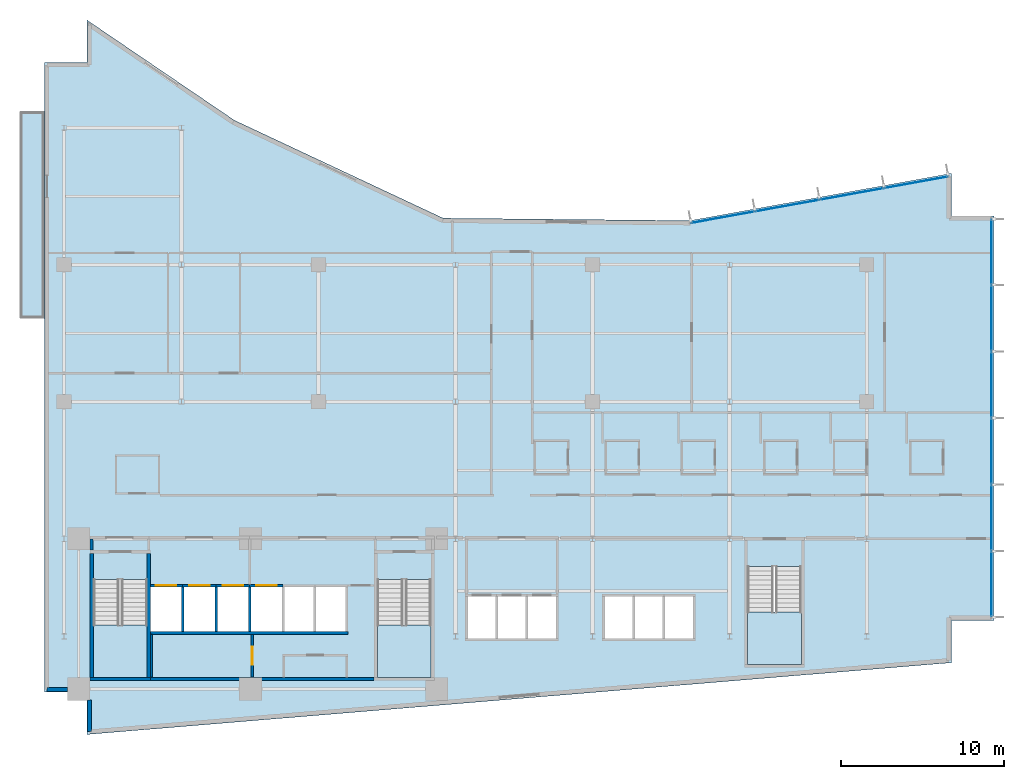
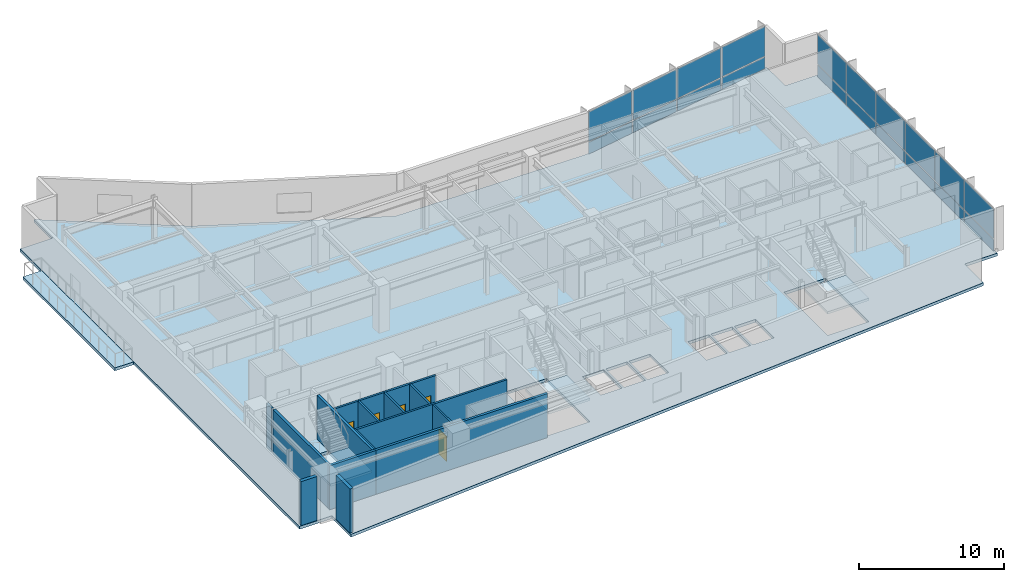
# One storey, part 11 of 20: 20 plates, 17 walls, 5 doors, 5 slabs, 5 openings, 5 elements without a shape of their own.
"""IFC4 building model written with IfcOpenShell, lengths in metres."""

from ifc_helpers import new_model, si_unit, direction, frame, frame_2d, origin, origin_2d, place, context, subcontext, project, spatial, polyline, rectangle, outline, extrude, material, layer, layer_set, type_object, element, fill, aggregate, save


model = new_model("IFC4")

# Units and contexts
model_context = context("Model", 3, precision=1e-05, world=origin(), true_north=direction((0.0, 1.0)))
body_context = subcontext(model_context, "Body", "Model", "MODEL_VIEW")
ifc_project = project(units=[si_unit("LENGTHUNIT", "METRE"), si_unit("AREAUNIT", "SQUARE_METRE"), si_unit("VOLUMEUNIT", "CUBIC_METRE"), si_unit("PLANEANGLEUNIT", "RADIAN"), si_unit("MASSUNIT", "GRAM", prefix="KILO")], contexts=[model_context])

# Site, building, storey
site_placement = place(None, origin())
site = spatial("IfcSite", under=ifc_project, at=site_placement, CompositionType="ELEMENT")
building_placement = place(site_placement, origin())
building = spatial("IfcBuilding", under=site, at=building_placement, Name="Varnakote Quay Hospital", CompositionType="ELEMENT")
storey_placement = place(building_placement, frame((0.0, 0.0, 81.75)))
storey = spatial("IfcBuildingStorey", under=building, at=storey_placement, Name="L20", CompositionType="ELEMENT", Elevation=81.75)

# Curtain wall, plates
ifc_material_1 = material(Name="Anodised aluminium 6063-T6 Bronze", Category="aluminium")
ifc_layer_1 = layer(ifc_material_1, 0.18994140625)
ifc_layer_set_1 = layer_set([ifc_layer_1], Name="Anodised aluminium 6063-T6 Bronze")
curtain_wall_type = type_object("IfcCurtainWallType", Name="CW-SYS-2", PredefinedType="NOTDEFINED", material=ifc_layer_set_1)
curtain_wall_1_placement = place(storey_placement, origin())
curtain_wall_1 = element("IfcCurtainWall", 1, at=curtain_wall_1_placement, inside=storey, type_object=curtain_wall_type, Name="L20 Unitised Bronze Curtain Wall 1", PredefinedType="NOTDEFINED")
ifc_material_2 = material(Name="Double-glazed acoustic laminated glass", Category="glass")
ifc_layer_2 = layer(ifc_material_2, 0.031982421875)
ifc_layer_set_2 = layer_set([ifc_layer_2], Name="Double-glazed acoustic laminated glass")
plate_type = type_object("IfcPlateType", Name="CW-PNL-GLZ-32", PredefinedType="CURTAIN_PANEL", material=ifc_layer_set_2)
plate_1_placement = place(storey_placement, frame((58.0400390625, 9.21875, 0.0751953125), z_axis=(0.0, 0.0, 1.0), x_axis=(0.0, 1.0, 0.0)))
plate_1 = element("IfcPlate", 2, at=plate_1_placement, type_object=plate_type, Name="-2-L20-1 panel 1.1", PredefinedType="CURTAIN_PANEL", context=body_context, shape_type="SweptSolid", body=[
    extrude(rectangle(XDim=3.967529296875, YDim=0.031982421875, at=origin_2d()), origin(), (0.0, 0.0, 1.0), 0.987548828125),
])
plate_2_placement = place(storey_placement, frame((58.0400390625, 9.21875, 1.137451171875), z_axis=(0.0, 0.0, 1.0), x_axis=(0.0, 1.0, 0.0)))
plate_2 = element("IfcPlate", 3, at=plate_2_placement, type_object=plate_type, Name="-2-L20-1 panel 1.2", PredefinedType="CURTAIN_PANEL", context=body_context, shape_type="SweptSolid", body=[
    extrude(rectangle(XDim=3.967529296875, YDim=0.031982421875, at=origin_2d()), origin(), (0.0, 0.0, 1.0), 2.49755859375),
])
plate_3_placement = place(storey_placement, frame((58.0400390625, 13.280029296875, 0.0751953125), z_axis=(0.0, 0.0, 1.0), x_axis=(0.0, 1.0, 0.0)))
plate_3 = element("IfcPlate", 4, at=plate_3_placement, type_object=plate_type, Name="-2-L20-1 panel 2.1", PredefinedType="CURTAIN_PANEL", context=body_context, shape_type="SweptSolid", body=[
    extrude(rectangle(XDim=4.0048828125, YDim=0.031982421875, at=origin_2d()), origin(), (0.0, 0.0, 1.0), 0.987548828125),
])
plate_4_placement = place(storey_placement, frame((58.0400390625, 13.280029296875, 1.137451171875), z_axis=(0.0, 0.0, 1.0), x_axis=(0.0, 1.0, 0.0)))
plate_4 = element("IfcPlate", 5, at=plate_4_placement, type_object=plate_type, Name="-2-L20-1 panel 2.2", PredefinedType="CURTAIN_PANEL", context=body_context, shape_type="SweptSolid", body=[
    extrude(rectangle(XDim=4.0048828125, YDim=0.031982421875, at=origin_2d()), origin(), (0.0, 0.0, 1.0), 2.49755859375),
])
plate_5_placement = place(storey_placement, frame((58.0400390625, 17.360107421875, 0.0751953125), z_axis=(0.0, 0.0, 1.0), x_axis=(0.0, 1.0, 0.0)))
plate_5 = element("IfcPlate", 6, at=plate_5_placement, type_object=plate_type, Name="-2-L20-1 panel 3.1", PredefinedType="CURTAIN_PANEL", context=body_context, shape_type="SweptSolid", body=[
    extrude(rectangle(XDim=4.0048828125, YDim=0.031982421875, at=origin_2d()), origin(), (0.0, 0.0, 1.0), 0.987548828125),
])
plate_6_placement = place(storey_placement, frame((58.0400390625, 17.360107421875, 1.137451171875), z_axis=(0.0, 0.0, 1.0), x_axis=(0.0, 1.0, 0.0)))
plate_6 = element("IfcPlate", 7, at=plate_6_placement, type_object=plate_type, Name="-2-L20-1 panel 3.2", PredefinedType="CURTAIN_PANEL", context=body_context, shape_type="SweptSolid", body=[
    extrude(rectangle(XDim=4.0048828125, YDim=0.031982421875, at=origin_2d()), origin(), (0.0, 0.0, 1.0), 2.49755859375),
])
plate_7_placement = place(storey_placement, frame((58.0400390625, 21.43994140625, 0.0751953125), z_axis=(0.0, 0.0, 1.0), x_axis=(0.0, 1.0, 0.0)))
plate_7 = element("IfcPlate", 8, at=plate_7_placement, type_object=plate_type, Name="-2-L20-1 panel 4.1", PredefinedType="CURTAIN_PANEL", context=body_context, shape_type="SweptSolid", body=[
    extrude(rectangle(XDim=4.0048828125, YDim=0.031982421875, at=origin_2d()), origin(), (0.0, 0.0, 1.0), 0.987548828125),
])
plate_8_placement = place(storey_placement, frame((58.0400390625, 21.43994140625, 1.137451171875), z_axis=(0.0, 0.0, 1.0), x_axis=(0.0, 1.0, 0.0)))
plate_8 = element("IfcPlate", 9, at=plate_8_placement, type_object=plate_type, Name="-2-L20-1 panel 4.2", PredefinedType="CURTAIN_PANEL", context=body_context, shape_type="SweptSolid", body=[
    extrude(rectangle(XDim=4.0048828125, YDim=0.031982421875, at=origin_2d()), origin(), (0.0, 0.0, 1.0), 2.49755859375),
])
plate_9_placement = place(storey_placement, frame((58.0400390625, 25.52001953125, 0.0751953125), z_axis=(0.0, 0.0, 1.0), x_axis=(0.0, 1.0, 0.0)))
plate_9 = element("IfcPlate", 10, at=plate_9_placement, type_object=plate_type, Name="-2-L20-1 panel 5.1", PredefinedType="CURTAIN_PANEL", context=body_context, shape_type="SweptSolid", body=[
    extrude(rectangle(XDim=4.0048828125, YDim=0.031982421875, at=origin_2d()), origin(), (0.0, 0.0, 1.0), 0.987548828125),
])
plate_10_placement = place(storey_placement, frame((58.0400390625, 25.52001953125, 1.137451171875), z_axis=(0.0, 0.0, 1.0), x_axis=(0.0, 1.0, 0.0)))
plate_10 = element("IfcPlate", 11, at=plate_10_placement, type_object=plate_type, Name="-2-L20-1 panel 5.2", PredefinedType="CURTAIN_PANEL", context=body_context, shape_type="SweptSolid", body=[
    extrude(rectangle(XDim=4.0048828125, YDim=0.031982421875, at=origin_2d()), origin(), (0.0, 0.0, 1.0), 2.49755859375),
])
plate_11_placement = place(storey_placement, frame((58.0400390625, 29.581298828125, 0.0751953125), z_axis=(0.0, 0.0, 1.0), x_axis=(0.0, 1.0, 0.0)))
plate_11 = element("IfcPlate", 12, at=plate_11_placement, type_object=plate_type, Name="-2-L20-1 panel 6.1", PredefinedType="CURTAIN_PANEL", context=body_context, shape_type="SweptSolid", body=[
    extrude(rectangle(XDim=3.967529296875, YDim=0.031982421875, at=origin_2d()), origin(), (0.0, 0.0, 1.0), 0.987548828125),
])
plate_12_placement = place(storey_placement, frame((58.0400390625, 29.581298828125, 1.137451171875), z_axis=(0.0, 0.0, 1.0), x_axis=(0.0, 1.0, 0.0)))
plate_12 = element("IfcPlate", 13, at=plate_12_placement, type_object=plate_type, Name="-2-L20-1 panel 6.2", PredefinedType="CURTAIN_PANEL", context=body_context, shape_type="SweptSolid", body=[
    extrude(rectangle(XDim=3.967529296875, YDim=0.031982421875, at=origin_2d()), origin(), (0.0, 0.0, 1.0), 2.49755859375),
])
aggregate(curtain_wall_1, [plate_1, plate_2, plate_3, plate_4, plate_5, plate_6, plate_7, plate_8, plate_9, plate_10, plate_11, plate_12])

curtain_wall_2_placement = place(storey_placement, origin())
curtain_wall_2 = element("IfcCurtainWall", 14, at=curtain_wall_2_placement, inside=storey, type_object=curtain_wall_type, Name="L20 Unitised Bronze Curtain Wall 2", PredefinedType="NOTDEFINED")
plate_13_placement = place(storey_placement, frame((53.440185546875, 33.84716796875, 0.0751953125), z_axis=(0.0, 0.0, 1.0), x_axis=(-0.984058295766, -0.177846199098, 0.0)))
plate_13 = element("IfcPlate", 15, at=plate_13_placement, type_object=plate_type, Name="-2-L20-2 panel 1.1", PredefinedType="CURTAIN_PANEL", context=body_context, shape_type="SweptSolid", body=[
    extrude(rectangle(XDim=3.914306640625, YDim=0.031982421875, at=origin_2d()), origin(), (0.0, 0.0, 1.0), 0.987548828125),
])
plate_14_placement = place(storey_placement, frame((53.440185546875, 33.84716796875, 1.137451171875), z_axis=(0.0, 0.0, 1.0), x_axis=(-0.984058295766, -0.177846199098, 0.0)))
plate_14 = element("IfcPlate", 16, at=plate_14_placement, type_object=plate_type, Name="-2-L20-2 panel 1.2", PredefinedType="CURTAIN_PANEL", context=body_context, shape_type="SweptSolid", body=[
    extrude(rectangle(XDim=3.914306640625, YDim=0.031982421875, at=origin_2d()), origin(), (0.0, 0.0, 1.0), 2.49755859375),
])
plate_15_placement = place(storey_placement, frame((49.49609375, 33.13427734375, 0.0751953125), z_axis=(0.0, 0.0, 1.0), x_axis=(-0.984058295766, -0.177846199098, 0.0)))
plate_15 = element("IfcPlate", 17, at=plate_15_placement, type_object=plate_type, Name="-2-L20-2 panel 2.1", PredefinedType="CURTAIN_PANEL", context=body_context, shape_type="SweptSolid", body=[
    extrude(rectangle(XDim=3.951904296875, YDim=0.031982421875, at=origin_2d()), origin(), (0.0, 0.0, 1.0), 0.987548828125),
])
plate_16_placement = place(storey_placement, frame((49.49609375, 33.13427734375, 1.137451171875), z_axis=(0.0, 0.0, 1.0), x_axis=(-0.984058295766, -0.177846199098, 0.0)))
plate_16 = element("IfcPlate", 18, at=plate_16_placement, type_object=plate_type, Name="-2-L20-2 panel 2.2", PredefinedType="CURTAIN_PANEL", context=body_context, shape_type="SweptSolid", body=[
    extrude(rectangle(XDim=3.951904296875, YDim=0.031982421875, at=origin_2d()), origin(), (0.0, 0.0, 1.0), 2.49755859375),
])
plate_17_placement = place(storey_placement, frame((45.533447265625, 32.418212890625, 0.0751953125), z_axis=(0.0, 0.0, 1.0), x_axis=(-0.984058295766, -0.177846199098, 0.0)))
plate_17 = element("IfcPlate", 19, at=plate_17_placement, type_object=plate_type, Name="-2-L20-2 panel 3.1", PredefinedType="CURTAIN_PANEL", context=body_context, shape_type="SweptSolid", body=[
    extrude(rectangle(XDim=3.951904296875, YDim=0.031982421875, at=origin_2d()), origin(), (0.0, 0.0, 1.0), 0.987548828125),
])
plate_18_placement = place(storey_placement, frame((45.533447265625, 32.418212890625, 1.137451171875), z_axis=(0.0, 0.0, 1.0), x_axis=(-0.984058295766, -0.177846199098, 0.0)))
plate_18 = element("IfcPlate", 20, at=plate_18_placement, type_object=plate_type, Name="-2-L20-2 panel 3.2", PredefinedType="CURTAIN_PANEL", context=body_context, shape_type="SweptSolid", body=[
    extrude(rectangle(XDim=3.951904296875, YDim=0.031982421875, at=origin_2d()), origin(), (0.0, 0.0, 1.0), 2.49755859375),
])
plate_19_placement = place(storey_placement, frame((41.58935546875, 31.705322265625, 0.0751953125), z_axis=(0.0, 0.0, 1.0), x_axis=(-0.984058295766, -0.177846199098, 0.0)))
plate_19 = element("IfcPlate", 21, at=plate_19_placement, type_object=plate_type, Name="-2-L20-2 panel 4.1", PredefinedType="CURTAIN_PANEL", context=body_context, shape_type="SweptSolid", body=[
    extrude(rectangle(XDim=3.914306640625, YDim=0.031982421875, at=origin_2d()), origin(), (0.0, 0.0, 1.0), 0.987548828125),
])
plate_20_placement = place(storey_placement, frame((41.58935546875, 31.705322265625, 1.137451171875), z_axis=(0.0, 0.0, 1.0), x_axis=(-0.984058295766, -0.177846199098, 0.0)))
plate_20 = element("IfcPlate", 22, at=plate_20_placement, type_object=plate_type, Name="-2-L20-2 panel 4.2", PredefinedType="CURTAIN_PANEL", context=body_context, shape_type="SweptSolid", body=[
    extrude(rectangle(XDim=3.914306640625, YDim=0.031982421875, at=origin_2d()), origin(), (0.0, 0.0, 1.0), 2.49755859375),
])
aggregate(curtain_wall_2, [plate_13, plate_14, plate_15, plate_16, plate_17, plate_18, plate_19, plate_20])

# Stair, slab
ifc_material_3 = material(Name="Concrete N40 (f'c 40 MPa)", Category="concrete")
stair_type = type_object("IfcStairType", Name="STR-CORE-1580", PredefinedType="HALF_TURN_STAIR", material=ifc_material_3)
stair_1_placement = place(storey_placement, origin())
stair_1 = element("IfcStair", 23, at=stair_1_placement, inside=storey, type_object=stair_type, Name="L20 Fire-Isolated Exit Stair ST-01", PredefinedType="HALF_TURN_STAIR")
ifc_material_4 = material(Name="Concrete N40 (f'c 40 MPa)", Category="concrete")
ifc_layer_3 = layer(ifc_material_4, 0.199951171875)
ifc_layer_set_3 = layer_set([ifc_layer_3], Name="Concrete N40 (f'c 40 MPa)")
slab_type_1 = type_object("IfcSlabType", Name="SLB-STAIR-LND-200", PredefinedType="LANDING", material=ifc_layer_set_3)
slab_1_placement = place(storey_placement, frame((0.0, 0.0, 1.77490234375)))
slab_1 = element("IfcSlab", 24, at=slab_1_placement, type_object=slab_type_1, Name="ST-01 landing 1", PredefinedType="LANDING", context=body_context, shape_type="SweptSolid", body=[
    extrude(outline(polyline([(3.0, 6.699951171875), (3.0, 3.5), (6.300048828125, 3.5), (6.300048828125, 6.699951171875), (3.0, 6.699951171875)])), origin(), (0.0, 0.0, 1.0), 0.2001953125),
])
aggregate(stair_1, [slab_1])

stair_2_placement = place(storey_placement, origin())
stair_2 = element("IfcStair", 25, at=stair_2_placement, inside=storey, type_object=stair_type, Name="L20 Fire-Isolated Exit Stair ST-02", PredefinedType="HALF_TURN_STAIR")
slab_2_placement = place(storey_placement, frame((0.0, 0.0, 1.77490234375)))
slab_2 = element("IfcSlab", 26, at=slab_2_placement, type_object=slab_type_1, Name="ST-02 landing 1", PredefinedType="LANDING", context=body_context, shape_type="SweptSolid", body=[
    extrude(outline(polyline([(20.39990234375, 6.699951171875), (20.39990234375, 3.5), (23.699951171875, 3.5), (23.699951171875, 6.699951171875), (20.39990234375, 6.699951171875)])), origin(), (0.0, 0.0, 1.0), 0.2001953125),
])
aggregate(stair_2, [slab_2])

stair_3_placement = place(storey_placement, origin())
stair_3 = element("IfcStair", 27, at=stair_3_placement, inside=storey, type_object=stair_type, Name="L20 Fire-Isolated Exit Stair ST-03", PredefinedType="HALF_TURN_STAIR")
slab_3_placement = place(storey_placement, frame((0.0, 0.0, 1.77490234375)))
slab_3 = element("IfcSlab", 28, at=slab_3_placement, type_object=slab_type_1, Name="ST-03 landing 1", PredefinedType="LANDING", context=body_context, shape_type="SweptSolid", body=[
    extrude(outline(polyline([(43.10009765625, 7.5), (43.10009765625, 4.300048828125), (46.39990234375, 4.300048828125), (46.39990234375, 7.5), (43.10009765625, 7.5)])), origin(), (0.0, 0.0, 1.0), 0.2001953125),
])
aggregate(stair_3, [slab_3])

# Slabs
ifc_material_5 = material(Name="Concrete N50 (f'c 50 MPa)", Category="concrete")
ifc_layer_4 = layer(ifc_material_5, 0.239990234375)
ifc_layer_set_4 = layer_set([ifc_layer_4], Name="Concrete N50 (f'c 50 MPa)")
slab_type_2 = type_object("IfcSlabType", Name="SLB-TERR-200", PredefinedType="FLOOR", material=ifc_layer_set_4)
slab_4_placement = place(storey_placement, frame((0.0, 0.0, -0.239990234375)))
element("IfcSlab", 29, at=slab_4_placement, inside=storey, type_object=slab_type_2, Name="L20 Waterfront Healing Terrace Slab", PredefinedType="FLOOR", context=body_context, shape_type="SweptSolid", body=[
    extrude(outline(polyline([(0.00390625, 25.5), (0.00390625, 38.199951171875), (-1.5, 38.199951171875), (-1.5, 25.5), (0.00390625, 25.5)])), origin(), (0.0, 0.0, 1.0), 0.239990234375),
])
ifc_material_6 = material(Name="Concrete N50 (f'c 50 MPa)", Category="concrete")
ifc_layer_5 = layer(ifc_material_6, 0.239990234375)
ifc_layer_set_5 = layer_set([ifc_layer_5], Name="Concrete N50 (f'c 50 MPa)")
slab_type_3 = type_object("IfcSlabType", Name="SLB-WARD-200", PredefinedType="FLOOR", material=ifc_layer_set_5)
slab_5_placement = place(storey_placement, frame((0.0, 0.0, -0.239990234375)))
element("IfcSlab", 30, at=slab_5_placement, inside=storey, type_object=slab_type_3, Name="L20 Primary Floor Slab", PredefinedType="FLOOR", context=body_context, shape_type="SweptSolid", body=[
    extrude(outline(polyline([(0.0, 2.60009765625), (2.60009765625, 2.60009765625), (2.60009765625, 0.0), (55.60009765625, 4.39990234375), (55.60009765625, 7.0), (58.199951171875, 7.0), (58.199951171875, 31.800048828125), (55.60009765625, 31.800048828125), (55.60009765625, 34.39990234375), (39.575927734375, 31.50390625), (24.444091796875, 31.652099609375), (11.639892578125, 37.656005859375), (2.60009765625, 43.800048828125), (2.60009765625, 41.199951171875), (0.0, 41.199951171875), (0.0, 2.60009765625)]), holes=[polyline([(3.0, 3.5), (6.300048828125, 3.5), (6.300048828125, 9.49951171875), (3.0, 9.49951171875), (3.0, 3.5)]), polyline([(20.39990234375, 3.5), (23.699951171875, 3.5), (23.699951171875, 9.49951171875), (20.39990234375, 9.49951171875), (20.39990234375, 3.5)]), polyline([(43.10009765625, 4.300048828125), (46.39990234375, 4.300048828125), (46.39990234375, 10.29931640625), (43.10009765625, 10.29931640625), (43.10009765625, 4.300048828125)]), polyline([(6.5, 6.300048828125), (8.39990234375, 6.300048828125), (8.39990234375, 9.050048828125), (6.5, 9.050048828125), (6.5, 6.300048828125)]), polyline([(8.550048828125, 6.300048828125), (10.449951171875, 6.300048828125), (10.449951171875, 9.050048828125), (8.550048828125, 9.050048828125), (8.550048828125, 6.300048828125)]), polyline([(10.60009765625, 6.300048828125), (12.5, 6.300048828125), (12.5, 9.050048828125), (10.60009765625, 9.050048828125), (10.60009765625, 6.300048828125)]), polyline([(12.64990234375, 6.300048828125), (14.550048828125, 6.300048828125), (14.550048828125, 9.050048828125), (12.64990234375, 9.050048828125), (12.64990234375, 6.300048828125)]), polyline([(14.699951171875, 6.300048828125), (16.5, 6.300048828125), (16.5, 9.050048828125), (14.699951171875, 9.050048828125), (14.699951171875, 6.300048828125)]), polyline([(16.64990234375, 6.300048828125), (18.449951171875, 6.300048828125), (18.449951171875, 9.050048828125), (16.64990234375, 9.050048828125), (16.64990234375, 6.300048828125)]), polyline([(25.949951171875, 5.89990234375), (27.64990234375, 5.89990234375), (27.64990234375, 8.449951171875), (25.949951171875, 8.449951171875), (25.949951171875, 5.89990234375)]), polyline([(27.800048828125, 5.89990234375), (29.5, 5.89990234375), (29.5, 8.449951171875), (27.800048828125, 8.449951171875), (27.800048828125, 5.89990234375)]), polyline([(29.64990234375, 5.89990234375), (31.35009765625, 5.89990234375), (31.35009765625, 8.449951171875), (29.64990234375, 8.449951171875), (29.64990234375, 5.89990234375)]), polyline([(34.35009765625, 5.89990234375), (36.050048828125, 5.89990234375), (36.050048828125, 8.449951171875), (34.35009765625, 8.449951171875), (34.35009765625, 5.89990234375)]), polyline([(36.199951171875, 5.89990234375), (37.89990234375, 5.89990234375), (37.89990234375, 8.449951171875), (36.199951171875, 8.449951171875), (36.199951171875, 5.89990234375)]), polyline([(38.050048828125, 5.89990234375), (39.75, 5.89990234375), (39.75, 8.449951171875), (38.050048828125, 8.449951171875), (38.050048828125, 5.89990234375)])]), origin(), (0.0, 0.0, 1.0), 0.239990234375),
])

# Walls
ifc_material_7 = material(Name="Fire-rated acoustic gypsum stud wall", Category="gypsum")
ifc_layer_6 = layer(ifc_material_7, 0.159912109375)
ifc_layer_set_6 = layer_set([ifc_layer_6], Name="Fire-rated acoustic gypsum stud wall")
wall_type_1 = type_object("IfcWallType", Name="WL-COMP-160", PredefinedType="PARTITIONING", material=ifc_layer_set_6)
wall_1_placement = place(storey_placement, frame((2.8798828125, 11.300048828125, 0.0), z_axis=(0.0, 0.0, 1.0), x_axis=(0.0, 1.0, 0.0)))
element("IfcWall", 31, at=wall_1_placement, inside=storey, type_object=wall_type_1, Name="L20 West Stair Vestibule West Wall", PredefinedType="PARTITIONING", context=body_context, shape_type="SweptSolid", body=[
    extrude(rectangle(XDim=0.699951171875, YDim=0.159912109375, at=frame_2d((0.35009765625, 0.0))), origin(), (0.0, 0.0, 1.0), 3.7099609375),
])
ifc_material_8 = material(Name="Concrete N80 (f'c 80 MPa)", Category="concrete")
ifc_layer_7 = layer(ifc_material_8, 0.199951171875)
ifc_layer_set_7 = layer_set([ifc_layer_7], Name="Concrete N80 (f'c 80 MPa)")
wall_type_2 = type_object("IfcWallType", Name="WL-CORE-N80-200", PredefinedType="SHEAR", material=ifc_layer_set_7)
wall_2_placement = place(storey_placement, frame((6.5, 3.39990234375, 0.0), z_axis=(0.0, 0.0, 1.0), x_axis=(1.0, 0.0, 0.0)))
element("IfcWall", 32, at=wall_2_placement, inside=storey, type_object=wall_type_2, Name="L20 Rear Core South Shear Wall", PredefinedType="SHEAR", context=body_context, shape_type="SweptSolid", body=[
    extrude(rectangle(XDim=13.699951171875, YDim=0.199951171875, at=frame_2d((6.85009765625, 0.0))), origin(), (0.0, 0.0, 1.0), 3.7099609375),
])
ifc_material_9 = material(Name="Precast concrete N50 (f'c 50 MPa)", Category="concrete")
ifc_layer_8 = layer(ifc_material_9, 0.260009765625)
ifc_layer_set_8 = layer_set([ifc_layer_8], Name="Precast concrete N50 (f'c 50 MPa)")
wall_type_3 = type_object("IfcWallType", Name="WL-EXT-BRICK-260", PredefinedType="STANDARD", material=ifc_layer_set_8)
wall_3_placement = place(storey_placement, frame((2.760009765625, 2.114990234375, 0.0), z_axis=(0.0, 0.0, 1.0), x_axis=(0.0, -1.0, 0.0)))
element("IfcWall", 33, at=wall_3_placement, inside=storey, type_object=wall_type_3, Name="L20 Brick-Faced Precast Exterior Wall", PredefinedType="STANDARD", context=body_context, shape_type="SweptSolid", body=[
    extrude(rectangle(XDim=1.941162109375, YDim=0.260009765625, at=frame_2d((0.970703125, 0.0))), origin(), (0.0, 0.0, 1.0), 3.7099609375),
])
wall_4_placement = place(storey_placement, frame((0.159912109375, 2.760009765625, 0.0), z_axis=(0.0, 0.0, 1.0), x_axis=(1.0, 0.0, 0.0)))
element("IfcWall", 34, at=wall_4_placement, inside=storey, type_object=wall_type_3, Name="L20 Brick-Faced Precast Exterior Wall", PredefinedType="STANDARD", context=body_context, shape_type="SweptSolid", body=[
    extrude(rectangle(XDim=1.255126953125, YDim=0.260009765625, at=frame_2d((0.62744140625, 0.0))), origin(), (0.0, 0.0, 1.0), 3.7099609375),
])
ifc_material_10 = material(Name="Concrete N50 (f'c 50 MPa)", Category="concrete")
ifc_layer_9 = layer(ifc_material_10, 0.14990234375)
ifc_layer_set_9 = layer_set([ifc_layer_9], Name="Concrete N50 (f'c 50 MPa)")
wall_type_4 = type_object("IfcWallType", Name="WL-SHAFT-N50-150", PredefinedType="SHEAR", material=ifc_layer_set_9)
for number, where, z_axis, x_axis, name in (
    (35, (8.47509765625, 6.300048828125, 0.0), (0.0, 0.0, 1.0), (0.0, 1.0, 0.0), "L20 LF-FF1 Hoistway Divider Wall"),
    (36, (10.52490234375, 6.300048828125, 0.0), (0.0, 0.0, 1.0), (0.0, 1.0, 0.0), "L20 LF-FF2 Hoistway Divider Wall"),
    (37, (12.574951171875, 6.300048828125, 0.0), (0.0, 0.0, 1.0), (0.0, 1.0, 0.0), "L20 LF-SV1 Hoistway Divider Wall"),
):
    element("IfcWall", number, at=place(storey_placement, frame(where, z_axis=z_axis, x_axis=x_axis)), inside=storey, type_object=wall_type_4, Name=name, PredefinedType="SHEAR", context=body_context, shape_type="SweptSolid", body=[
        extrude(rectangle(XDim=2.75, YDim=0.14990234375, at=frame_2d((1.375, 0.0))), origin(), (0.0, 0.0, 1.0), 3.7099609375),
    ])
ifc_material_11 = material(Name="Concrete N50 (f'c 50 MPa)", Category="concrete")
ifc_layer_10 = layer(ifc_material_11, 0.159912109375)
ifc_layer_set_10 = layer_set([ifc_layer_10], Name="Concrete N50 (f'c 50 MPa)")
wall_type_5 = type_object("IfcWallType", Name="WL-SHAFT-N50-160", PredefinedType="SHEAR", material=ifc_layer_set_10)
wall_5_placement = place(storey_placement, frame((6.5, 6.219970703125, 0.0), z_axis=(0.0, 0.0, 1.0), x_axis=(1.0, 0.0, 0.0)))
element("IfcWall", 38, at=wall_5_placement, inside=storey, type_object=wall_type_5, Name="L20 REAR Lift Bank Back Shear Wall", PredefinedType="SHEAR", context=body_context, shape_type="SweptSolid", body=[
    extrude(rectangle(XDim=12.110107421875, YDim=0.159912109375, at=frame_2d((6.05517578125, 0.0))), origin(), (0.0, 0.0, 1.0), 3.7099609375),
])

# Wall, opening, door
wall_6_placement = place(storey_placement, frame((6.5, 9.1298828125, 0.0), z_axis=(0.0, 0.0, 1.0), x_axis=(1.0, 0.0, 0.0)))
wall_6 = element("IfcWall", 39, at=wall_6_placement, inside=storey, type_object=wall_type_5, Name="L20 LF-FF1 Hoistway Front Wall", PredefinedType="SHEAR", context=body_context, shape_type="SweptSolid", body=[
    extrude(rectangle(XDim=1.97509765625, YDim=0.159912109375, at=frame_2d((0.987548828125, 0.0))), origin(), (0.0, 0.0, 1.0), 3.7099609375),
])
opening_1_placement = place(wall_6_placement, frame((0.324951171875, 0.0, 0.0)))
opening_1 = element("IfcOpeningElement", 40, at=opening_1_placement, cuts=wall_6, Name="Opening LD-FF1-L20", PredefinedType="OPENING", context=body_context, shape_type="SweptSolid", body=[
    extrude(rectangle(XDim=1.25, YDim=2.14990234375, at=frame_2d((0.625, 1.074951171875))), frame((0.0, 0.08984375, 0.0), z_axis=(0.0, -1.0, 0.0), x_axis=(1.0, 0.0, 0.0)), (0.0, 0.0, 1.0), 0.179931640625),
])
ifc_material_12 = material(Name="Stainless steel lift landing sliding door", Category="steel")
door_type_1 = type_object("IfcDoorType", Name="DR-LIFT-LD-1250x2150", OperationType="NOTDEFINED", PredefinedType="DOOR", material=ifc_material_12)
door_1_placement = place(opening_1_placement, origin())
door_1 = element("IfcDoor", 41, at=door_1_placement, inside=storey, type_object=door_type_1, Name="L20 LF-FF1 Lift Landing Sliding Door", OperationType="SLIDING_TO_LEFT", OverallHeight=2.14990234375, OverallWidth=1.25, PredefinedType="DOOR", context=body_context, shape_type="SweptSolid", body=[
    extrude(rectangle(XDim=1.25, YDim=2.14990234375, at=frame_2d((0.625, 1.074951171875))), frame((0.0, 0.02490234375, 0.0), z_axis=(0.0, -1.0, 0.0), x_axis=(1.0, 0.0, 0.0)), (0.0, 0.0, 1.0), 0.050048828125),
])
fill(opening_1, door_1)

wall_7_placement = place(storey_placement, frame((8.47509765625, 9.1298828125, 0.0), z_axis=(0.0, 0.0, 1.0), x_axis=(1.0, 0.0, 0.0)))
wall_7 = element("IfcWall", 42, at=wall_7_placement, inside=storey, type_object=wall_type_5, Name="L20 LF-FF2 Hoistway Front Wall", PredefinedType="SHEAR", context=body_context, shape_type="SweptSolid", body=[
    extrude(rectangle(XDim=2.0498046875, YDim=0.159912109375, at=frame_2d((1.02490234375, 0.0))), origin(), (0.0, 0.0, 1.0), 3.7099609375),
])
opening_2_placement = place(wall_7_placement, frame((0.39990234375, 0.0, 0.0)))
opening_2 = element("IfcOpeningElement", 43, at=opening_2_placement, cuts=wall_7, Name="Opening LD-FF2-L20", PredefinedType="OPENING", context=body_context, shape_type="SweptSolid", body=[
    extrude(rectangle(XDim=1.25, YDim=2.14990234375, at=frame_2d((0.625, 1.074951171875))), frame((0.0, 0.08984375, 0.0), z_axis=(0.0, -1.0, 0.0), x_axis=(1.0, 0.0, 0.0)), (0.0, 0.0, 1.0), 0.179931640625),
])
door_2_placement = place(opening_2_placement, origin())
door_2 = element("IfcDoor", 44, at=door_2_placement, inside=storey, type_object=door_type_1, Name="L20 LF-FF2 Lift Landing Sliding Door", OperationType="SLIDING_TO_LEFT", OverallHeight=2.14990234375, OverallWidth=1.25, PredefinedType="DOOR", context=body_context, shape_type="SweptSolid", body=[
    extrude(rectangle(XDim=1.25, YDim=2.14990234375, at=frame_2d((0.625, 1.074951171875))), frame((0.0, 0.02490234375, 0.0), z_axis=(0.0, -1.0, 0.0), x_axis=(1.0, 0.0, 0.0)), (0.0, 0.0, 1.0), 0.050048828125),
])
fill(opening_2, door_2)

wall_8_placement = place(storey_placement, frame((10.52490234375, 9.1298828125, 0.0), z_axis=(0.0, 0.0, 1.0), x_axis=(1.0, 0.0, 0.0)))
wall_8 = element("IfcWall", 45, at=wall_8_placement, inside=storey, type_object=wall_type_5, Name="L20 LF-SV1 Hoistway Front Wall", PredefinedType="SHEAR", context=body_context, shape_type="SweptSolid", body=[
    extrude(rectangle(XDim=2.050048828125, YDim=0.159912109375, at=frame_2d((1.02490234375, 0.0))), origin(), (0.0, 0.0, 1.0), 3.7099609375),
])
opening_3_placement = place(wall_8_placement, frame((0.39990234375, 0.0, 0.0)))
opening_3 = element("IfcOpeningElement", 46, at=opening_3_placement, cuts=wall_8, Name="Opening LD-SV1-L20", PredefinedType="OPENING", context=body_context, shape_type="SweptSolid", body=[
    extrude(rectangle(XDim=1.25, YDim=2.14990234375, at=frame_2d((0.625, 1.074951171875))), frame((0.0, 0.08984375, 0.0), z_axis=(0.0, -1.0, 0.0), x_axis=(1.0, 0.0, 0.0)), (0.0, 0.0, 1.0), 0.179931640625),
])
door_3_placement = place(opening_3_placement, origin())
door_3 = element("IfcDoor", 47, at=door_3_placement, inside=storey, type_object=door_type_1, Name="L20 LF-SV1 Lift Landing Sliding Door", OperationType="SLIDING_TO_LEFT", OverallHeight=2.14990234375, OverallWidth=1.25, PredefinedType="DOOR", context=body_context, shape_type="SweptSolid", body=[
    extrude(rectangle(XDim=1.25, YDim=2.14990234375, at=frame_2d((0.625, 1.074951171875))), frame((0.0, 0.02490234375, 0.0), z_axis=(0.0, -1.0, 0.0), x_axis=(1.0, 0.0, 0.0)), (0.0, 0.0, 1.0), 0.050048828125),
])
fill(opening_3, door_3)

wall_9_placement = place(storey_placement, frame((12.574951171875, 9.1298828125, 0.0), z_axis=(0.0, 0.0, 1.0), x_axis=(1.0, 0.0, 0.0)))
wall_9 = element("IfcWall", 48, at=wall_9_placement, inside=storey, type_object=wall_type_5, Name="L20 LF-SV2 Hoistway Front Wall", PredefinedType="SHEAR", context=body_context, shape_type="SweptSolid", body=[
    extrude(rectangle(XDim=2.050048828125, YDim=0.159912109375, at=frame_2d((1.02490234375, 0.0))), origin(), (0.0, 0.0, 1.0), 3.7099609375),
])
opening_4_placement = place(wall_9_placement, frame((0.39990234375, 0.0, 0.0)))
opening_4 = element("IfcOpeningElement", 49, at=opening_4_placement, cuts=wall_9, Name="Opening LD-SV2-L20", PredefinedType="OPENING", context=body_context, shape_type="SweptSolid", body=[
    extrude(rectangle(XDim=1.25, YDim=2.14990234375, at=frame_2d((0.625, 1.074951171875))), frame((0.0, 0.08984375, 0.0), z_axis=(0.0, -1.0, 0.0), x_axis=(1.0, 0.0, 0.0)), (0.0, 0.0, 1.0), 0.179931640625),
])
door_4_placement = place(opening_4_placement, origin())
door_4 = element("IfcDoor", 50, at=door_4_placement, inside=storey, type_object=door_type_1, Name="L20 LF-SV2 Lift Landing Sliding Door", OperationType="SLIDING_TO_LEFT", OverallHeight=2.14990234375, OverallWidth=1.25, PredefinedType="DOOR", context=body_context, shape_type="SweptSolid", body=[
    extrude(rectangle(XDim=1.25, YDim=2.14990234375, at=frame_2d((0.625, 1.074951171875))), frame((0.0, 0.02490234375, 0.0), z_axis=(0.0, -1.0, 0.0), x_axis=(1.0, 0.0, 0.0)), (0.0, 0.0, 1.0), 0.050048828125),
])
fill(opening_4, door_4)

# Walls
ifc_material_13 = material(Name="Concrete N50 (f'c 50 MPa)", Category="concrete")
ifc_layer_11 = layer(ifc_material_13, 0.199951171875)
ifc_layer_set_11 = layer_set([ifc_layer_11], Name="Concrete N50 (f'c 50 MPa)")
wall_type_6 = type_object("IfcWallType", Name="WL-SHAFT-N50-200", PredefinedType="SHEAR", material=ifc_layer_set_11)
wall_10_placement = place(storey_placement, frame((2.800048828125, 3.39990234375, 0.0), z_axis=(0.0, 0.0, 1.0), x_axis=(1.0, 0.0, 0.0)))
element("IfcWall", 51, at=wall_10_placement, inside=storey, type_object=wall_type_6, Name="L20 Stair ST1 South Shaft Wall", PredefinedType="SHEAR", context=body_context, shape_type="SweptSolid", body=[
    extrude(rectangle(XDim=3.699951171875, YDim=0.199951171875, at=frame_2d((1.85009765625, 0.0))), origin(), (0.0, 0.0, 1.0), 3.7099609375),
])
for number, where, z_axis, x_axis, name in (
    (52, (2.89990234375, 3.5, 0.0), (0.0, 0.0, 1.0), (0.0, 1.0, 0.0), "L20 Stair ST1 West Shaft Wall"),
    (53, (6.39990234375, 3.5, 0.0), (0.0, 0.0, 1.0), (0.0, 1.0, 0.0), "L20 Stair ST1 East Shaft Wall"),
):
    element("IfcWall", number, at=place(storey_placement, frame(where, z_axis=z_axis, x_axis=x_axis)), inside=storey, type_object=wall_type_6, Name=name, PredefinedType="SHEAR", context=body_context, shape_type="SweptSolid", body=[
        extrude(rectangle(XDim=7.60009765625, YDim=0.199951171875, at=frame_2d((3.800048828125, 0.0))), origin(), (0.0, 0.0, 1.0), 3.7099609375),
    ])
ifc_material_14 = material(Name="Smoke-proof clinical partition", Category="gypsum")
ifc_layer_12 = layer(ifc_material_14, 0.1201171875)
ifc_layer_set_12 = layer_set([ifc_layer_12], Name="Smoke-proof clinical partition")
wall_type_7 = type_object("IfcWallType", Name="WL-SMOKE-120", PredefinedType="PARTITIONING", material=ifc_layer_set_12)
wall_11_placement = place(storey_placement, frame((6.56005859375, 3.52001953125, 0.0), z_axis=(0.0, 0.0, 1.0), x_axis=(0.0, 1.0, 0.0)))
element("IfcWall", 54, at=wall_11_placement, inside=storey, type_object=wall_type_7, Name="L20 Core West Store West Wall", PredefinedType="PARTITIONING", context=body_context, shape_type="SweptSolid", body=[
    extrude(rectangle(XDim=2.619873046875, YDim=0.1201171875, at=frame_2d((1.31005859375, 0.0))), origin(), (0.0, 0.0, 1.0), 3.7099609375),
])

# Wall, opening, door
ifc_material_15 = material(Name="Fire-rated clinical gypsum partition", Category="gypsum")
ifc_layer_13 = layer(ifc_material_15, 0.139892578125)
ifc_layer_set_13 = layer_set([ifc_layer_13], Name="Fire-rated clinical gypsum partition")
wall_type_8 = type_object("IfcWallType", Name="WL-WARD-140", PredefinedType="PARTITIONING", material=ifc_layer_set_13)
wall_12_placement = place(storey_placement, frame((12.72998046875, 3.52001953125, 0.0), z_axis=(0.0, 0.0, 1.0), x_axis=(0.0, 1.0, 0.0)))
wall_12 = element("IfcWall", 55, at=wall_12_placement, inside=storey, type_object=wall_type_8, Name="L20 Core Clean Equipment Store East Wall", PredefinedType="PARTITIONING", context=body_context, shape_type="SweptSolid", body=[
    extrude(rectangle(XDim=2.619873046875, YDim=0.139892578125, at=frame_2d((1.31005859375, 0.0))), origin(), (0.0, 0.0, 1.0), 3.7099609375),
])
opening_5_placement = place(wall_12_placement, frame((0.760009765625, 0.0, 0.0)))
opening_5 = element("IfcOpeningElement", 56, at=opening_5_placement, cuts=wall_12, Name="Opening D-L20-CR01", PredefinedType="OPENING", context=body_context, shape_type="SweptSolid", body=[
    extrude(rectangle(XDim=1.10009765625, YDim=2.10009765625, at=frame_2d((0.550048828125, 1.050048828125))), frame((0.0, 0.079833984375, 0.0), z_axis=(0.0, -1.0, 0.0), x_axis=(1.0, 0.0, 0.0)), (0.0, 0.0, 1.0), 0.159912109375),
])
ifc_material_16 = material(Name="Acoustic timber clinical consult door", Category="wood")
door_type_2 = type_object("IfcDoorType", Name="DR-CLIN-FD30S-1100x2100", OperationType="NOTDEFINED", PredefinedType="DOOR", material=ifc_material_16)
door_5_placement = place(opening_5_placement, origin())
door_5 = element("IfcDoor", 57, at=door_5_placement, inside=storey, type_object=door_type_2, Name="L20 Core Clean Equipment Store Door", OperationType="SINGLE_SWING_LEFT", OverallHeight=2.10009765625, OverallWidth=1.10009765625, PredefinedType="DOOR", context=body_context, shape_type="SweptSolid", body=[
    extrude(rectangle(XDim=1.10009765625, YDim=2.10009765625, at=frame_2d((0.550048828125, 1.050048828125))), frame((0.0, 0.02490234375, 0.0), z_axis=(0.0, -1.0, 0.0), x_axis=(1.0, 0.0, 0.0)), (0.0, 0.0, 1.0), 0.050048828125),
])
fill(opening_5, door_5)

save(model, "model.ifc")
